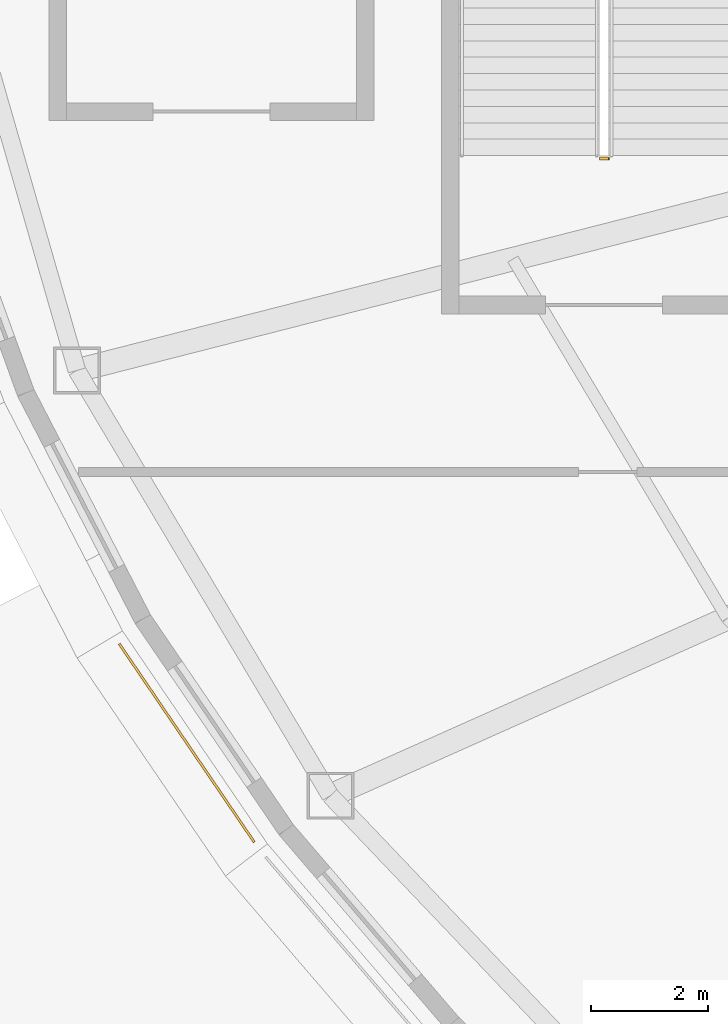
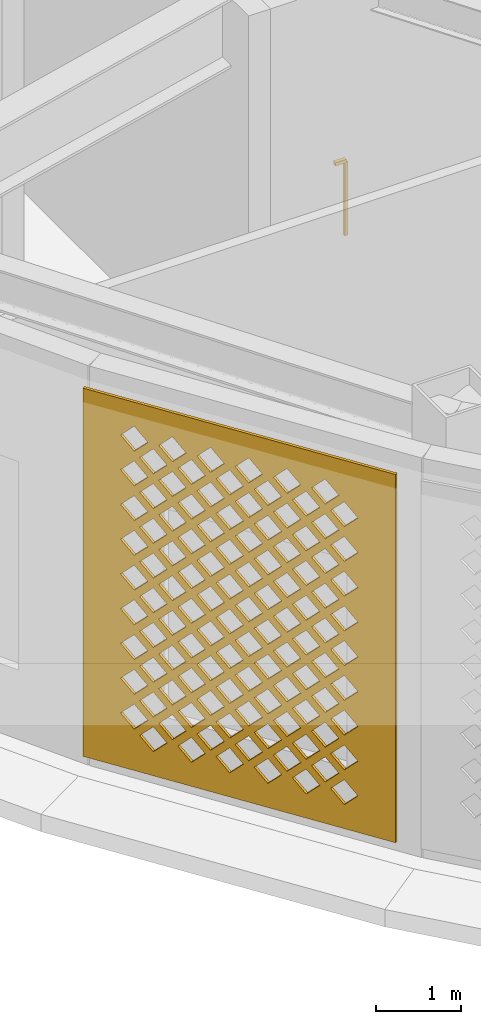
# One storey, part 39 of 74: 1 covering, 1 railing.
"""IFC4 building model written with IfcOpenShell, lengths in metres."""

from ifc_helpers import new_model, si_unit, direction, frame, origin, origin_2d, place, context, subcontext, project, spatial, polyline, rectangle, outline, extrude, material, layer, layer_set, type_object, element, save


model = new_model("IFC4")

# Units and contexts
model_context = context("Model", 3, precision=1e-05, world=origin(), true_north=direction((0.0, 1.0)))
body_context = subcontext(model_context, "Body", "Model", "MODEL_VIEW")
ifc_project = project(units=[si_unit("LENGTHUNIT", "METRE"), si_unit("AREAUNIT", "SQUARE_METRE"), si_unit("VOLUMEUNIT", "CUBIC_METRE"), si_unit("PLANEANGLEUNIT", "RADIAN"), si_unit("MASSUNIT", "GRAM", prefix="KILO")], contexts=[model_context])

# Site, building, storey
site_placement = place(None, origin())
site = spatial("IfcSite", under=ifc_project, at=site_placement, CompositionType="ELEMENT")
building_placement = place(site_placement, origin())
building = spatial("IfcBuilding", under=site, at=building_placement, Name="Noorbagh Ring Tower", CompositionType="ELEMENT")
storey_placement = place(building_placement, frame((0.0, 0.0, 7.5)))
storey = spatial("IfcBuildingStorey", under=building, at=storey_placement, Name="L01", CompositionType="ELEMENT", Elevation=7.5)

# Railing
ifc_material_1 = material(Name="Stainless steel", Category="steel")
railing_type = type_object("IfcRailingType", Name="GND-STAIR-GUARD", PredefinedType="GUARDRAIL", material=ifc_material_1)
railing_placement = place(storey_placement, frame((-38.949951171875, -8.64990234375, 0.0)))
element("IfcRailing", 1, at=railing_placement, inside=storey, type_object=railing_type, Name="L01 ST-P1 stair guard", PredefinedType="GUARDRAIL", context=body_context, shape_type="SweptSolid", body=[
    extrude(rectangle(XDim=0.048095703125, YDim=0.048095703125, at=origin_2d()), frame((0.0, 0.0, 1.076171875), z_axis=(-1.0, 0.0, 0.0), x_axis=(0.0, -1.0, 0.0)), (0.0, 0.0, 1.0), 0.150146484375),
    extrude(rectangle(XDim=0.0419921875, YDim=0.0419921875, at=origin_2d()), origin(), (0.0, 0.0, 1.0), 1.052001953125),
])

# Covering
ifc_material_2 = material(Name="Red sandstone jali", Category="masonry")
ifc_layer = layer(ifc_material_2, 0.0400390625)
ifc_layer_set = layer_set([ifc_layer], Name="Red sandstone jali")
covering_type = type_object("IfcCoveringType", Name="STY-JALI", PredefinedType="USERDEFINED", material=ifc_layer_set)
covering_placement = place(storey_placement, frame((-47.31591796875, -16.9443359375, 0.449951171875), z_axis=(-0.826637007867, -0.562735512675, 0.0), x_axis=(0.562735512675, -0.826637007867, 0.0)))
element("IfcCovering", 2, at=covering_placement, inside=storey, type_object=covering_type, Name="Jali screen", ObjectType="SCREEN", PredefinedType="USERDEFINED", context=body_context, shape_type="SweptSolid", body=[
    extrude(outline(polyline([(0.0, 0.0), (4.095458984375, 0.0), (4.095458984375, 5.300048828125), (0.0, 5.300048828125), (0.0, 0.0)]), holes=[polyline([(0.74267578125, 0.52490234375), (0.922607421875, 0.344970703125), (1.102783203125, 0.52490234375), (0.922607421875, 0.705078125), (0.74267578125, 0.52490234375)]), polyline([(1.24267578125, 0.52490234375), (1.422607421875, 0.344970703125), (1.602783203125, 0.52490234375), (1.422607421875, 0.705078125), (1.24267578125, 0.52490234375)]), polyline([(1.74267578125, 0.52490234375), (1.922607421875, 0.344970703125), (2.102783203125, 0.52490234375), (1.922607421875, 0.705078125), (1.74267578125, 0.52490234375)]), polyline([(2.24267578125, 0.52490234375), (2.422607421875, 0.344970703125), (2.602783203125, 0.52490234375), (2.422607421875, 0.705078125), (2.24267578125, 0.52490234375)]), polyline([(2.74267578125, 0.52490234375), (2.922607421875, 0.344970703125), (3.102783203125, 0.52490234375), (2.922607421875, 0.705078125), (2.74267578125, 0.52490234375)]), polyline([(3.24267578125, 0.52490234375), (3.422607421875, 0.344970703125), (3.602783203125, 0.52490234375), (3.422607421875, 0.705078125), (3.24267578125, 0.52490234375)]), polyline([(0.49267578125, 0.77490234375), (0.672607421875, 0.594970703125), (0.852783203125, 0.77490234375), (0.672607421875, 0.955078125), (0.49267578125, 0.77490234375)]), polyline([(0.99267578125, 0.77490234375), (1.172607421875, 0.594970703125), (1.352783203125, 0.77490234375), (1.172607421875, 0.955078125), (0.99267578125, 0.77490234375)]), polyline([(1.49267578125, 0.77490234375), (1.672607421875, 0.594970703125), (1.852783203125, 0.77490234375), (1.672607421875, 0.955078125), (1.49267578125, 0.77490234375)]), polyline([(1.99267578125, 0.77490234375), (2.172607421875, 0.594970703125), (2.352783203125, 0.77490234375), (2.172607421875, 0.955078125), (1.99267578125, 0.77490234375)]), polyline([(2.49267578125, 0.77490234375), (2.672607421875, 0.594970703125), (2.852783203125, 0.77490234375), (2.672607421875, 0.955078125), (2.49267578125, 0.77490234375)]), polyline([(2.99267578125, 0.77490234375), (3.172607421875, 0.594970703125), (3.352783203125, 0.77490234375), (3.172607421875, 0.955078125), (2.99267578125, 0.77490234375)]), polyline([(0.74267578125, 1.02490234375), (0.922607421875, 0.844970703125), (1.102783203125, 1.02490234375), (0.922607421875, 1.205078125), (0.74267578125, 1.02490234375)]), polyline([(1.24267578125, 1.02490234375), (1.422607421875, 0.844970703125), (1.602783203125, 1.02490234375), (1.422607421875, 1.205078125), (1.24267578125, 1.02490234375)]), polyline([(1.74267578125, 1.02490234375), (1.922607421875, 0.844970703125), (2.102783203125, 1.02490234375), (1.922607421875, 1.205078125), (1.74267578125, 1.02490234375)]), polyline([(2.24267578125, 1.02490234375), (2.422607421875, 0.844970703125), (2.602783203125, 1.02490234375), (2.422607421875, 1.205078125), (2.24267578125, 1.02490234375)]), polyline([(2.74267578125, 1.02490234375), (2.922607421875, 0.844970703125), (3.102783203125, 1.02490234375), (2.922607421875, 1.205078125), (2.74267578125, 1.02490234375)]), polyline([(3.24267578125, 1.02490234375), (3.422607421875, 0.844970703125), (3.602783203125, 1.02490234375), (3.422607421875, 1.205078125), (3.24267578125, 1.02490234375)]), polyline([(0.49267578125, 1.27490234375), (0.672607421875, 1.094970703125), (0.852783203125, 1.27490234375), (0.672607421875, 1.455078125), (0.49267578125, 1.27490234375)]), polyline([(0.99267578125, 1.27490234375), (1.172607421875, 1.094970703125), (1.352783203125, 1.27490234375), (1.172607421875, 1.455078125), (0.99267578125, 1.27490234375)]), polyline([(1.49267578125, 1.27490234375), (1.672607421875, 1.094970703125), (1.852783203125, 1.27490234375), (1.672607421875, 1.455078125), (1.49267578125, 1.27490234375)]), polyline([(1.99267578125, 1.27490234375), (2.172607421875, 1.094970703125), (2.352783203125, 1.27490234375), (2.172607421875, 1.455078125), (1.99267578125, 1.27490234375)]), polyline([(2.49267578125, 1.27490234375), (2.672607421875, 1.094970703125), (2.852783203125, 1.27490234375), (2.672607421875, 1.455078125), (2.49267578125, 1.27490234375)]), polyline([(2.99267578125, 1.27490234375), (3.172607421875, 1.094970703125), (3.352783203125, 1.27490234375), (3.172607421875, 1.455078125), (2.99267578125, 1.27490234375)]), polyline([(0.74267578125, 1.52490234375), (0.922607421875, 1.344970703125), (1.102783203125, 1.52490234375), (0.922607421875, 1.705078125), (0.74267578125, 1.52490234375)]), polyline([(1.24267578125, 1.52490234375), (1.422607421875, 1.344970703125), (1.602783203125, 1.52490234375), (1.422607421875, 1.705078125), (1.24267578125, 1.52490234375)]), polyline([(1.74267578125, 1.52490234375), (1.922607421875, 1.344970703125), (2.102783203125, 1.52490234375), (1.922607421875, 1.705078125), (1.74267578125, 1.52490234375)]), polyline([(2.24267578125, 1.52490234375), (2.422607421875, 1.344970703125), (2.602783203125, 1.52490234375), (2.422607421875, 1.705078125), (2.24267578125, 1.52490234375)]), polyline([(2.74267578125, 1.52490234375), (2.922607421875, 1.344970703125), (3.102783203125, 1.52490234375), (2.922607421875, 1.705078125), (2.74267578125, 1.52490234375)]), polyline([(3.24267578125, 1.52490234375), (3.422607421875, 1.344970703125), (3.602783203125, 1.52490234375), (3.422607421875, 1.705078125), (3.24267578125, 1.52490234375)]), polyline([(0.49267578125, 1.77490234375), (0.672607421875, 1.594970703125), (0.852783203125, 1.77490234375), (0.672607421875, 1.955078125), (0.49267578125, 1.77490234375)]), polyline([(0.99267578125, 1.77490234375), (1.172607421875, 1.594970703125), (1.352783203125, 1.77490234375), (1.172607421875, 1.955078125), (0.99267578125, 1.77490234375)]), polyline([(1.49267578125, 1.77490234375), (1.672607421875, 1.594970703125), (1.852783203125, 1.77490234375), (1.672607421875, 1.955078125), (1.49267578125, 1.77490234375)]), polyline([(1.99267578125, 1.77490234375), (2.172607421875, 1.594970703125), (2.352783203125, 1.77490234375), (2.172607421875, 1.955078125), (1.99267578125, 1.77490234375)]), polyline([(2.49267578125, 1.77490234375), (2.672607421875, 1.594970703125), (2.852783203125, 1.77490234375), (2.672607421875, 1.955078125), (2.49267578125, 1.77490234375)]), polyline([(2.99267578125, 1.77490234375), (3.172607421875, 1.594970703125), (3.352783203125, 1.77490234375), (3.172607421875, 1.955078125), (2.99267578125, 1.77490234375)]), polyline([(0.74267578125, 2.02490234375), (0.922607421875, 1.844970703125), (1.102783203125, 2.02490234375), (0.922607421875, 2.205078125), (0.74267578125, 2.02490234375)]), polyline([(1.24267578125, 2.02490234375), (1.422607421875, 1.844970703125), (1.602783203125, 2.02490234375), (1.422607421875, 2.205078125), (1.24267578125, 2.02490234375)]), polyline([(1.74267578125, 2.02490234375), (1.922607421875, 1.844970703125), (2.102783203125, 2.02490234375), (1.922607421875, 2.205078125), (1.74267578125, 2.02490234375)]), polyline([(2.24267578125, 2.02490234375), (2.422607421875, 1.844970703125), (2.602783203125, 2.02490234375), (2.422607421875, 2.205078125), (2.24267578125, 2.02490234375)]), polyline([(2.74267578125, 2.02490234375), (2.922607421875, 1.844970703125), (3.102783203125, 2.02490234375), (2.922607421875, 2.205078125), (2.74267578125, 2.02490234375)]), polyline([(3.24267578125, 2.02490234375), (3.422607421875, 1.844970703125), (3.602783203125, 2.02490234375), (3.422607421875, 2.205078125), (3.24267578125, 2.02490234375)]), polyline([(0.49267578125, 2.27490234375), (0.672607421875, 2.094970703125), (0.852783203125, 2.27490234375), (0.672607421875, 2.455078125), (0.49267578125, 2.27490234375)]), polyline([(0.99267578125, 2.27490234375), (1.172607421875, 2.094970703125), (1.352783203125, 2.27490234375), (1.172607421875, 2.455078125), (0.99267578125, 2.27490234375)]), polyline([(1.49267578125, 2.27490234375), (1.672607421875, 2.094970703125), (1.852783203125, 2.27490234375), (1.672607421875, 2.455078125), (1.49267578125, 2.27490234375)]), polyline([(1.99267578125, 2.27490234375), (2.172607421875, 2.094970703125), (2.352783203125, 2.27490234375), (2.172607421875, 2.455078125), (1.99267578125, 2.27490234375)]), polyline([(2.49267578125, 2.27490234375), (2.672607421875, 2.094970703125), (2.852783203125, 2.27490234375), (2.672607421875, 2.455078125), (2.49267578125, 2.27490234375)]), polyline([(2.99267578125, 2.27490234375), (3.172607421875, 2.094970703125), (3.352783203125, 2.27490234375), (3.172607421875, 2.455078125), (2.99267578125, 2.27490234375)]), polyline([(0.74267578125, 2.52490234375), (0.922607421875, 2.344970703125), (1.102783203125, 2.52490234375), (0.922607421875, 2.705078125), (0.74267578125, 2.52490234375)]), polyline([(1.24267578125, 2.52490234375), (1.422607421875, 2.344970703125), (1.602783203125, 2.52490234375), (1.422607421875, 2.705078125), (1.24267578125, 2.52490234375)]), polyline([(1.74267578125, 2.52490234375), (1.922607421875, 2.344970703125), (2.102783203125, 2.52490234375), (1.922607421875, 2.705078125), (1.74267578125, 2.52490234375)]), polyline([(2.24267578125, 2.52490234375), (2.422607421875, 2.344970703125), (2.602783203125, 2.52490234375), (2.422607421875, 2.705078125), (2.24267578125, 2.52490234375)]), polyline([(2.74267578125, 2.52490234375), (2.922607421875, 2.344970703125), (3.102783203125, 2.52490234375), (2.922607421875, 2.705078125), (2.74267578125, 2.52490234375)]), polyline([(3.24267578125, 2.52490234375), (3.422607421875, 2.344970703125), (3.602783203125, 2.52490234375), (3.422607421875, 2.705078125), (3.24267578125, 2.52490234375)]), polyline([(0.49267578125, 2.77490234375), (0.672607421875, 2.594970703125), (0.852783203125, 2.77490234375), (0.672607421875, 2.955078125), (0.49267578125, 2.77490234375)]), polyline([(0.99267578125, 2.77490234375), (1.172607421875, 2.594970703125), (1.352783203125, 2.77490234375), (1.172607421875, 2.955078125), (0.99267578125, 2.77490234375)]), polyline([(1.49267578125, 2.77490234375), (1.672607421875, 2.594970703125), (1.852783203125, 2.77490234375), (1.672607421875, 2.955078125), (1.49267578125, 2.77490234375)]), polyline([(1.99267578125, 2.77490234375), (2.172607421875, 2.594970703125), (2.352783203125, 2.77490234375), (2.172607421875, 2.955078125), (1.99267578125, 2.77490234375)]), polyline([(2.49267578125, 2.77490234375), (2.672607421875, 2.594970703125), (2.852783203125, 2.77490234375), (2.672607421875, 2.955078125), (2.49267578125, 2.77490234375)]), polyline([(2.99267578125, 2.77490234375), (3.172607421875, 2.594970703125), (3.352783203125, 2.77490234375), (3.172607421875, 2.955078125), (2.99267578125, 2.77490234375)]), polyline([(0.74267578125, 3.02490234375), (0.922607421875, 2.844970703125), (1.102783203125, 3.02490234375), (0.922607421875, 3.205078125), (0.74267578125, 3.02490234375)]), polyline([(1.24267578125, 3.02490234375), (1.422607421875, 2.844970703125), (1.602783203125, 3.02490234375), (1.422607421875, 3.205078125), (1.24267578125, 3.02490234375)]), polyline([(1.74267578125, 3.02490234375), (1.922607421875, 2.844970703125), (2.102783203125, 3.02490234375), (1.922607421875, 3.205078125), (1.74267578125, 3.02490234375)]), polyline([(2.24267578125, 3.02490234375), (2.422607421875, 2.844970703125), (2.602783203125, 3.02490234375), (2.422607421875, 3.205078125), (2.24267578125, 3.02490234375)]), polyline([(2.74267578125, 3.02490234375), (2.922607421875, 2.844970703125), (3.102783203125, 3.02490234375), (2.922607421875, 3.205078125), (2.74267578125, 3.02490234375)]), polyline([(3.24267578125, 3.02490234375), (3.422607421875, 2.844970703125), (3.602783203125, 3.02490234375), (3.422607421875, 3.205078125), (3.24267578125, 3.02490234375)]), polyline([(0.49267578125, 3.27490234375), (0.672607421875, 3.094970703125), (0.852783203125, 3.27490234375), (0.672607421875, 3.455078125), (0.49267578125, 3.27490234375)]), polyline([(0.99267578125, 3.27490234375), (1.172607421875, 3.094970703125), (1.352783203125, 3.27490234375), (1.172607421875, 3.455078125), (0.99267578125, 3.27490234375)]), polyline([(1.49267578125, 3.27490234375), (1.672607421875, 3.094970703125), (1.852783203125, 3.27490234375), (1.672607421875, 3.455078125), (1.49267578125, 3.27490234375)]), polyline([(1.99267578125, 3.27490234375), (2.172607421875, 3.094970703125), (2.352783203125, 3.27490234375), (2.172607421875, 3.455078125), (1.99267578125, 3.27490234375)]), polyline([(2.49267578125, 3.27490234375), (2.672607421875, 3.094970703125), (2.852783203125, 3.27490234375), (2.672607421875, 3.455078125), (2.49267578125, 3.27490234375)]), polyline([(2.99267578125, 3.27490234375), (3.172607421875, 3.094970703125), (3.352783203125, 3.27490234375), (3.172607421875, 3.455078125), (2.99267578125, 3.27490234375)]), polyline([(0.74267578125, 3.52490234375), (0.922607421875, 3.344970703125), (1.102783203125, 3.52490234375), (0.922607421875, 3.705078125), (0.74267578125, 3.52490234375)]), polyline([(1.24267578125, 3.52490234375), (1.422607421875, 3.344970703125), (1.602783203125, 3.52490234375), (1.422607421875, 3.705078125), (1.24267578125, 3.52490234375)]), polyline([(1.74267578125, 3.52490234375), (1.922607421875, 3.344970703125), (2.102783203125, 3.52490234375), (1.922607421875, 3.705078125), (1.74267578125, 3.52490234375)]), polyline([(2.24267578125, 3.52490234375), (2.422607421875, 3.344970703125), (2.602783203125, 3.52490234375), (2.422607421875, 3.705078125), (2.24267578125, 3.52490234375)]), polyline([(2.74267578125, 3.52490234375), (2.922607421875, 3.344970703125), (3.102783203125, 3.52490234375), (2.922607421875, 3.705078125), (2.74267578125, 3.52490234375)]), polyline([(3.24267578125, 3.52490234375), (3.422607421875, 3.344970703125), (3.602783203125, 3.52490234375), (3.422607421875, 3.705078125), (3.24267578125, 3.52490234375)]), polyline([(0.49267578125, 3.77490234375), (0.672607421875, 3.594970703125), (0.852783203125, 3.77490234375), (0.672607421875, 3.955078125), (0.49267578125, 3.77490234375)]), polyline([(0.99267578125, 3.77490234375), (1.172607421875, 3.594970703125), (1.352783203125, 3.77490234375), (1.172607421875, 3.955078125), (0.99267578125, 3.77490234375)]), polyline([(1.49267578125, 3.77490234375), (1.672607421875, 3.594970703125), (1.852783203125, 3.77490234375), (1.672607421875, 3.955078125), (1.49267578125, 3.77490234375)]), polyline([(1.99267578125, 3.77490234375), (2.172607421875, 3.594970703125), (2.352783203125, 3.77490234375), (2.172607421875, 3.955078125), (1.99267578125, 3.77490234375)]), polyline([(2.49267578125, 3.77490234375), (2.672607421875, 3.594970703125), (2.852783203125, 3.77490234375), (2.672607421875, 3.955078125), (2.49267578125, 3.77490234375)]), polyline([(2.99267578125, 3.77490234375), (3.172607421875, 3.594970703125), (3.352783203125, 3.77490234375), (3.172607421875, 3.955078125), (2.99267578125, 3.77490234375)]), polyline([(0.74267578125, 4.02490234375), (0.922607421875, 3.844970703125), (1.102783203125, 4.02490234375), (0.922607421875, 4.205078125), (0.74267578125, 4.02490234375)]), polyline([(1.24267578125, 4.02490234375), (1.422607421875, 3.844970703125), (1.602783203125, 4.02490234375), (1.422607421875, 4.205078125), (1.24267578125, 4.02490234375)]), polyline([(1.74267578125, 4.02490234375), (1.922607421875, 3.844970703125), (2.102783203125, 4.02490234375), (1.922607421875, 4.205078125), (1.74267578125, 4.02490234375)]), polyline([(2.24267578125, 4.02490234375), (2.422607421875, 3.844970703125), (2.602783203125, 4.02490234375), (2.422607421875, 4.205078125), (2.24267578125, 4.02490234375)]), polyline([(2.74267578125, 4.02490234375), (2.922607421875, 3.844970703125), (3.102783203125, 4.02490234375), (2.922607421875, 4.205078125), (2.74267578125, 4.02490234375)]), polyline([(3.24267578125, 4.02490234375), (3.422607421875, 3.844970703125), (3.602783203125, 4.02490234375), (3.422607421875, 4.205078125), (3.24267578125, 4.02490234375)]), polyline([(0.49267578125, 4.27490234375), (0.672607421875, 4.094970703125), (0.852783203125, 4.27490234375), (0.672607421875, 4.455078125), (0.49267578125, 4.27490234375)]), polyline([(0.99267578125, 4.27490234375), (1.172607421875, 4.094970703125), (1.352783203125, 4.27490234375), (1.172607421875, 4.455078125), (0.99267578125, 4.27490234375)]), polyline([(1.49267578125, 4.27490234375), (1.672607421875, 4.094970703125), (1.852783203125, 4.27490234375), (1.672607421875, 4.455078125), (1.49267578125, 4.27490234375)]), polyline([(1.99267578125, 4.27490234375), (2.172607421875, 4.094970703125), (2.352783203125, 4.27490234375), (2.172607421875, 4.455078125), (1.99267578125, 4.27490234375)]), polyline([(2.49267578125, 4.27490234375), (2.672607421875, 4.094970703125), (2.852783203125, 4.27490234375), (2.672607421875, 4.455078125), (2.49267578125, 4.27490234375)]), polyline([(2.99267578125, 4.27490234375), (3.172607421875, 4.094970703125), (3.352783203125, 4.27490234375), (3.172607421875, 4.455078125), (2.99267578125, 4.27490234375)]), polyline([(0.74267578125, 4.52490234375), (0.922607421875, 4.344970703125), (1.102783203125, 4.52490234375), (0.922607421875, 4.705078125), (0.74267578125, 4.52490234375)]), polyline([(1.24267578125, 4.52490234375), (1.422607421875, 4.344970703125), (1.602783203125, 4.52490234375), (1.422607421875, 4.705078125), (1.24267578125, 4.52490234375)]), polyline([(1.74267578125, 4.52490234375), (1.922607421875, 4.344970703125), (2.102783203125, 4.52490234375), (1.922607421875, 4.705078125), (1.74267578125, 4.52490234375)]), polyline([(2.24267578125, 4.52490234375), (2.422607421875, 4.344970703125), (2.602783203125, 4.52490234375), (2.422607421875, 4.705078125), (2.24267578125, 4.52490234375)]), polyline([(2.74267578125, 4.52490234375), (2.922607421875, 4.344970703125), (3.102783203125, 4.52490234375), (2.922607421875, 4.705078125), (2.74267578125, 4.52490234375)]), polyline([(3.24267578125, 4.52490234375), (3.422607421875, 4.344970703125), (3.602783203125, 4.52490234375), (3.422607421875, 4.705078125), (3.24267578125, 4.52490234375)]), polyline([(0.49267578125, 4.77490234375), (0.672607421875, 4.594970703125), (0.852783203125, 4.77490234375), (0.672607421875, 4.955078125), (0.49267578125, 4.77490234375)]), polyline([(0.99267578125, 4.77490234375), (1.172607421875, 4.594970703125), (1.352783203125, 4.77490234375), (1.172607421875, 4.955078125), (0.99267578125, 4.77490234375)]), polyline([(1.49267578125, 4.77490234375), (1.672607421875, 4.594970703125), (1.852783203125, 4.77490234375), (1.672607421875, 4.955078125), (1.49267578125, 4.77490234375)]), polyline([(1.99267578125, 4.77490234375), (2.172607421875, 4.594970703125), (2.352783203125, 4.77490234375), (2.172607421875, 4.955078125), (1.99267578125, 4.77490234375)]), polyline([(2.49267578125, 4.77490234375), (2.672607421875, 4.594970703125), (2.852783203125, 4.77490234375), (2.672607421875, 4.955078125), (2.49267578125, 4.77490234375)]), polyline([(2.99267578125, 4.77490234375), (3.172607421875, 4.594970703125), (3.352783203125, 4.77490234375), (3.172607421875, 4.955078125), (2.99267578125, 4.77490234375)])]), origin(), (0.0, 0.0, -1.0), 0.0400390625),
])

save(model, "model.ifc")
